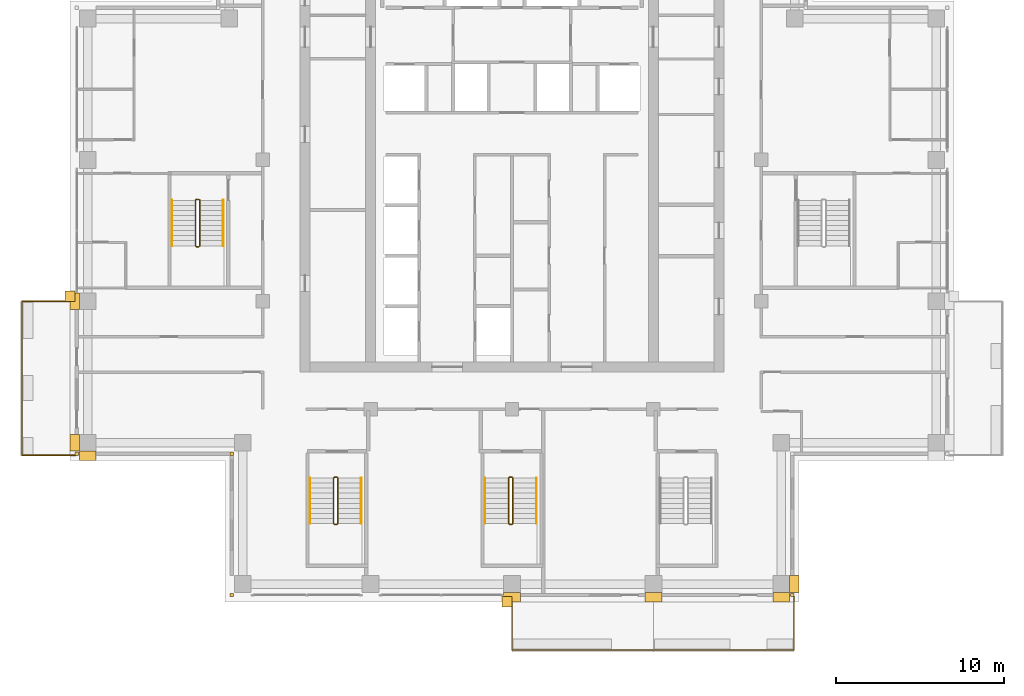
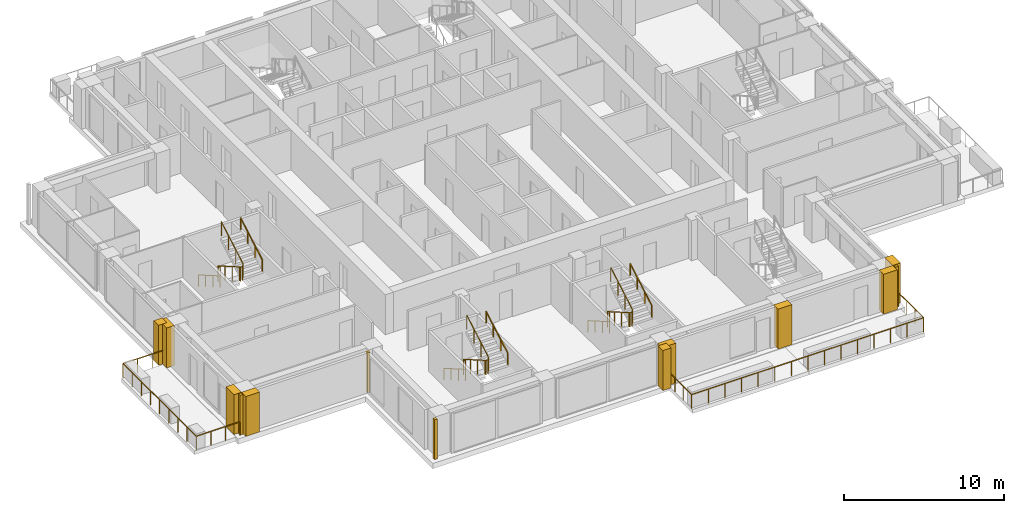
# One storey, part 15 of 17: 13 coverings, 12 railings.
"""IFC4 building model written with IfcOpenShell, lengths in metres."""

from ifc_helpers import new_model, si_unit, direction, frame, origin, origin_2d, place, context, subcontext, project, spatial, polyline, rectangle, outline, extrude, material, type_object, element, save


model = new_model("IFC4")

# Units and contexts
model_context = context("Model", 3, precision=1e-05, world=origin(), true_north=direction((0.0, 1.0)))
body_context = subcontext(model_context, "Body", "Model", "MODEL_VIEW")
ifc_project = project(units=[si_unit("LENGTHUNIT", "METRE"), si_unit("AREAUNIT", "SQUARE_METRE"), si_unit("VOLUMEUNIT", "CUBIC_METRE"), si_unit("PLANEANGLEUNIT", "RADIAN"), si_unit("MASSUNIT", "GRAM", prefix="KILO")], contexts=[model_context])

# Site, building, storey
site_placement = place(None, origin())
site = spatial("IfcSite", under=ifc_project, at=site_placement, CompositionType="ELEMENT")
building_placement = place(site_placement, origin())
building = spatial("IfcBuilding", under=site, at=building_placement, Name="Vermilion Ogive Tower", CompositionType="ELEMENT")
storey_placement = place(building_placement, frame((0.0, 0.0, 189.35009765625)))
storey = spatial("IfcBuildingStorey", under=building, at=storey_placement, Name="L49", CompositionType="ELEMENT", Elevation=189.35009765625)

# Railings
ifc_material_1 = material(Name="Stainless steel and glass", Category="steel")
railing_type_1 = type_object("IfcRailingType", Name="Balcony guard", PredefinedType="GUARDRAIL", material=ifc_material_1)
railing_1_placement = place(storey_placement, frame((0.0, -21.75, -0.0400390625)))
element("IfcRailing", 1, at=railing_1_placement, inside=storey, type_object=railing_type_1, Name="Guard S03", PredefinedType="GUARDRAIL", context=body_context, shape_type="SweptSolid", body=[
    extrude(rectangle(XDim=0.048095703125, YDim=0.048095703125, at=origin_2d()), frame((0.0, 0.0, 1.076171875), z_axis=(0.0, -1.0, 0.0), x_axis=(1.0, 0.0, 0.0)), (0.0, 0.0, 1.0), 3.159912109375),
    extrude(rectangle(XDim=0.048095703125, YDim=0.048095703125, at=origin_2d()), frame((0.0, -3.159912109375, 1.076171875), z_axis=(1.0, 0.0, 0.0), x_axis=(0.0, 1.0, 0.0)), (0.0, 0.0, 1.0), 8.39990234375),
    extrude(rectangle(XDim=0.0419921875, YDim=0.0419921875, at=origin_2d()), origin(), (0.0, 0.0, 1.0), 1.052001953125),
    extrude(rectangle(XDim=0.0419921875, YDim=0.0419921875, at=origin_2d()), frame((0.0, -1.05322265625, 0.0)), (0.0, 0.0, 1.0), 1.052001953125),
    extrude(rectangle(XDim=0.0419921875, YDim=0.0419921875, at=origin_2d()), frame((0.0, -2.106689453125, 0.0)), (0.0, 0.0, 1.0), 1.052001953125),
    extrude(rectangle(XDim=0.0419921875, YDim=0.0419921875, at=origin_2d()), frame((0.0, -3.159912109375, 0.0)), (0.0, 0.0, 1.0), 1.052001953125),
    extrude(rectangle(XDim=0.0419921875, YDim=0.0419921875, at=origin_2d()), frame((1.199951171875, -3.159912109375, 0.0)), (0.0, 0.0, 1.0), 1.052001953125),
    extrude(rectangle(XDim=0.0419921875, YDim=0.0419921875, at=origin_2d()), frame((2.39990234375, -3.159912109375, 0.0)), (0.0, 0.0, 1.0), 1.052001953125),
    extrude(rectangle(XDim=0.0419921875, YDim=0.0419921875, at=origin_2d()), frame((3.599853515625, -3.159912109375, 0.0)), (0.0, 0.0, 1.0), 1.052001953125),
    extrude(rectangle(XDim=0.0419921875, YDim=0.0419921875, at=origin_2d()), frame((4.800048828125, -3.159912109375, 0.0)), (0.0, 0.0, 1.0), 1.052001953125),
    extrude(rectangle(XDim=0.0419921875, YDim=0.0419921875, at=origin_2d()), frame((6.0, -3.159912109375, 0.0)), (0.0, 0.0, 1.0), 1.052001953125),
    extrude(rectangle(XDim=0.0419921875, YDim=0.0419921875, at=origin_2d()), frame((7.199951171875, -3.159912109375, 0.0)), (0.0, 0.0, 1.0), 1.052001953125),
    extrude(rectangle(XDim=0.0419921875, YDim=0.0419921875, at=origin_2d()), frame((8.39990234375, -3.159912109375, 0.0)), (0.0, 0.0, 1.0), 1.052001953125),
])
railing_2_placement = place(storey_placement, frame((8.39990234375, -24.909912109375, -0.0400390625)))
element("IfcRailing", 2, at=railing_2_placement, inside=storey, type_object=railing_type_1, Name="Guard S04", PredefinedType="GUARDRAIL", context=body_context, shape_type="SweptSolid", body=[
    extrude(rectangle(XDim=0.048095703125, YDim=0.048095703125, at=origin_2d()), frame((0.0, 0.0, 1.076171875), z_axis=(1.0, 0.0, 0.0), x_axis=(0.0, 1.0, 0.0)), (0.0, 0.0, 1.0), 8.35009765625),
    extrude(rectangle(XDim=0.048095703125, YDim=0.048095703125, at=origin_2d()), frame((8.35009765625, 0.0, 1.076171875), z_axis=(0.0, 1.0, 0.0), x_axis=(-1.0, 0.0, 0.0)), (0.0, 0.0, 1.0), 3.159912109375),
    extrude(rectangle(XDim=0.0419921875, YDim=0.0419921875, at=origin_2d()), origin(), (0.0, 0.0, 1.0), 1.052001953125),
    extrude(rectangle(XDim=0.0419921875, YDim=0.0419921875, at=origin_2d()), frame((1.19287109375, 0.0, 0.0)), (0.0, 0.0, 1.0), 1.052001953125),
    extrude(rectangle(XDim=0.0419921875, YDim=0.0419921875, at=origin_2d()), frame((2.3857421875, 0.0, 0.0)), (0.0, 0.0, 1.0), 1.052001953125),
    extrude(rectangle(XDim=0.0419921875, YDim=0.0419921875, at=origin_2d()), frame((3.57861328125, 0.0, 0.0)), (0.0, 0.0, 1.0), 1.052001953125),
    extrude(rectangle(XDim=0.0419921875, YDim=0.0419921875, at=origin_2d()), frame((4.771484375, 0.0, 0.0)), (0.0, 0.0, 1.0), 1.052001953125),
    extrude(rectangle(XDim=0.0419921875, YDim=0.0419921875, at=origin_2d()), frame((5.96435546875, 0.0, 0.0)), (0.0, 0.0, 1.0), 1.052001953125),
    extrude(rectangle(XDim=0.0419921875, YDim=0.0419921875, at=origin_2d()), frame((7.1572265625, 0.0, 0.0)), (0.0, 0.0, 1.0), 1.052001953125),
    extrude(rectangle(XDim=0.0419921875, YDim=0.0419921875, at=origin_2d()), frame((8.35009765625, 0.0, 0.0)), (0.0, 0.0, 1.0), 1.052001953125),
    extrude(rectangle(XDim=0.0419921875, YDim=0.0419921875, at=origin_2d()), frame((8.35009765625, 1.05322265625, 0.0)), (0.0, 0.0, 1.0), 1.052001953125),
    extrude(rectangle(XDim=0.0419921875, YDim=0.0419921875, at=origin_2d()), frame((8.35009765625, 2.106689453125, 0.0)), (0.0, 0.0, 1.0), 1.052001953125),
    extrude(rectangle(XDim=0.0419921875, YDim=0.0419921875, at=origin_2d()), frame((8.35009765625, 3.159912109375, 0.0)), (0.0, 0.0, 1.0), 1.052001953125),
])
railing_3_placement = place(storey_placement, frame((-25.949951171875, -4.199951171875, -0.0400390625)))
element("IfcRailing", 3, at=railing_3_placement, inside=storey, type_object=railing_type_1, Name="Guard W03", PredefinedType="GUARDRAIL", context=body_context, shape_type="SweptSolid", body=[
    extrude(rectangle(XDim=0.048095703125, YDim=0.048095703125, at=origin_2d()), frame((0.0, 0.0, 1.076171875), z_axis=(-1.0, 0.0, 0.0), x_axis=(0.0, -1.0, 0.0)), (0.0, 0.0, 1.0), 3.16015625),
    extrude(rectangle(XDim=0.048095703125, YDim=0.048095703125, at=origin_2d()), frame((-3.16015625, 0.0, 1.076171875), z_axis=(0.0, -1.0, 0.0), x_axis=(1.0, 0.0, 0.0)), (0.0, 0.0, 1.0), 9.150146484375),
    extrude(rectangle(XDim=0.048095703125, YDim=0.048095703125, at=origin_2d()), frame((-3.16015625, -9.150146484375, 1.076171875), z_axis=(1.0, 0.0, 0.0), x_axis=(0.0, 1.0, 0.0)), (0.0, 0.0, 1.0), 3.16015625),
    extrude(rectangle(XDim=0.0419921875, YDim=0.0419921875, at=origin_2d()), origin(), (0.0, 0.0, 1.0), 1.052001953125),
    extrude(rectangle(XDim=0.0419921875, YDim=0.0419921875, at=origin_2d()), frame((-1.053466796875, 0.0, 0.0)), (0.0, 0.0, 1.0), 1.052001953125),
    extrude(rectangle(XDim=0.0419921875, YDim=0.0419921875, at=origin_2d()), frame((-2.106689453125, 0.0, 0.0)), (0.0, 0.0, 1.0), 1.052001953125),
    extrude(rectangle(XDim=0.0419921875, YDim=0.0419921875, at=origin_2d()), frame((-3.16015625, 0.0, 0.0)), (0.0, 0.0, 1.0), 1.052001953125),
    extrude(rectangle(XDim=0.0419921875, YDim=0.0419921875, at=origin_2d()), frame((-3.16015625, -1.143798828125, 0.0)), (0.0, 0.0, 1.0), 1.052001953125),
    extrude(rectangle(XDim=0.0419921875, YDim=0.0419921875, at=origin_2d()), frame((-3.16015625, -2.28759765625, 0.0)), (0.0, 0.0, 1.0), 1.052001953125),
    extrude(rectangle(XDim=0.0419921875, YDim=0.0419921875, at=origin_2d()), frame((-3.16015625, -3.431396484375, 0.0)), (0.0, 0.0, 1.0), 1.052001953125),
    extrude(rectangle(XDim=0.0419921875, YDim=0.0419921875, at=origin_2d()), frame((-3.16015625, -4.5751953125, 0.0)), (0.0, 0.0, 1.0), 1.052001953125),
    extrude(rectangle(XDim=0.0419921875, YDim=0.0419921875, at=origin_2d()), frame((-3.16015625, -5.71875, 0.0)), (0.0, 0.0, 1.0), 1.052001953125),
    extrude(rectangle(XDim=0.0419921875, YDim=0.0419921875, at=origin_2d()), frame((-3.16015625, -6.862548828125, 0.0)), (0.0, 0.0, 1.0), 1.052001953125),
    extrude(rectangle(XDim=0.0419921875, YDim=0.0419921875, at=origin_2d()), frame((-3.16015625, -8.00634765625, 0.0)), (0.0, 0.0, 1.0), 1.052001953125),
    extrude(rectangle(XDim=0.0419921875, YDim=0.0419921875, at=origin_2d()), frame((-3.16015625, -9.150146484375, 0.0)), (0.0, 0.0, 1.0), 1.052001953125),
    extrude(rectangle(XDim=0.0419921875, YDim=0.0419921875, at=origin_2d()), frame((-2.106689453125, -9.150146484375, 0.0)), (0.0, 0.0, 1.0), 1.052001953125),
    extrude(rectangle(XDim=0.0419921875, YDim=0.0419921875, at=origin_2d()), frame((-1.053466796875, -9.150146484375, 0.0)), (0.0, 0.0, 1.0), 1.052001953125),
    extrude(rectangle(XDim=0.0419921875, YDim=0.0419921875, at=origin_2d()), frame((0.0, -9.150146484375, 0.0)), (0.0, 0.0, 1.0), 1.052001953125),
])
ifc_material_2 = material(Name="Steel S355 painted", Category="steel")
railing_type_2 = type_object("IfcRailingType", Name="Stair guard 1100", PredefinedType="GUARDRAIL", material=ifc_material_2)
railing_4_placement = place(storey_placement, frame((-10.39990234375, -14.64990234375, 0.0)))
element("IfcRailing", 4, at=railing_4_placement, inside=storey, type_object=railing_type_2, Name="L49 ST3 stair guard 4", PredefinedType="GUARDRAIL", context=body_context, shape_type="SweptSolid", body=[
    extrude(rectangle(XDim=0.048095703125, YDim=0.048095703125, at=origin_2d()), frame((0.0, 0.0, 1.076171875), z_axis=(-1.0, 0.0, 0.0), x_axis=(0.0, -1.0, 0.0)), (0.0, 0.0, 1.0), 0.150146484375),
    extrude(rectangle(XDim=0.048095703125, YDim=0.048095703125, at=origin_2d()), frame((-0.150146484375, 0.0, 1.076171875), z_axis=(-0.268603158521, -0.268603158521, 0.925043072762), x_axis=(0.707106781187, -0.707106781187, 0.0)), (0.0, 0.0, 1.0), 0.186279296875),
    extrude(rectangle(XDim=0.048095703125, YDim=0.048095703125, at=origin_2d()), frame((-0.2001953125, -0.050048828125, 1.24853515625), z_axis=(0.0, -0.866903762492, 0.498475542607), x_axis=(1.0, 0.0, 0.0)), (0.0, 0.0, 1.0), 3.114501953125),
    extrude(rectangle(XDim=0.048095703125, YDim=0.048095703125, at=origin_2d()), frame((-0.2001953125, -2.75, 2.80078125), z_axis=(0.707106781187, -0.707106781187, 0.0), x_axis=(0.707106781187, 0.707106781187, 0.0)), (0.0, 0.0, 1.0), 0.07080078125),
    extrude(rectangle(XDim=0.048095703125, YDim=0.048095703125, at=origin_2d()), frame((-0.150146484375, -2.800048828125, 2.80078125), z_axis=(1.0, 0.0, 0.0), x_axis=(0.0, 1.0, 0.0)), (0.0, 0.0, 1.0), 0.150146484375),
    extrude(rectangle(XDim=0.048095703125, YDim=0.048095703125, at=origin_2d()), frame((0.0, -2.800048828125, 2.80078125), z_axis=(0.267062837333, 0.268371968888, 0.925556009775), x_axis=(-0.708833529934, 0.705375805398, 0.0)), (0.0, 0.0, 1.0), 0.1865234375),
    extrude(rectangle(XDim=0.048095703125, YDim=0.048095703125, at=origin_2d()), frame((0.0498046875, -2.75, 2.9736328125), z_axis=(0.0, 0.866903762492, 0.498475542607), x_axis=(-1.0, 0.0, 0.0)), (0.0, 0.0, 1.0), 3.114501953125),
    extrude(rectangle(XDim=0.0419921875, YDim=0.0419921875, at=origin_2d()), origin(), (0.0, 0.0, 1.0), 1.052001953125),
    extrude(rectangle(XDim=0.0419921875, YDim=0.0419921875, at=origin_2d()), frame((-0.150146484375, 0.0, 0.0)), (0.0, 0.0, 1.0), 1.052001953125),
    extrude(rectangle(XDim=0.0419921875, YDim=0.0419921875, at=origin_2d()), frame((-0.2001953125, -0.050048828125, 0.17236328125)), (0.0, 0.0, 1.0), 1.052001953125),
    extrude(rectangle(XDim=0.0419921875, YDim=0.0419921875, at=origin_2d()), frame((-0.2001953125, -0.949951171875, 0.68994140625)), (0.0, 0.0, 1.0), 1.052001953125),
    extrude(rectangle(XDim=0.0419921875, YDim=0.0419921875, at=origin_2d()), frame((-0.2001953125, -1.85009765625, 1.207275390625)), (0.0, 0.0, 1.0), 1.052001953125),
    extrude(rectangle(XDim=0.0419921875, YDim=0.0419921875, at=origin_2d()), frame((-0.2001953125, -2.75, 1.724853515625)), (0.0, 0.0, 1.0), 1.052001953125),
    extrude(rectangle(XDim=0.0419921875, YDim=0.0419921875, at=origin_2d()), frame((-0.150146484375, -2.800048828125, 1.724853515625)), (0.0, 0.0, 1.0), 1.052001953125),
    extrude(rectangle(XDim=0.0419921875, YDim=0.0419921875, at=origin_2d()), frame((0.0, -2.800048828125, 1.724853515625)), (0.0, 0.0, 1.0), 1.052001953125),
    extrude(rectangle(XDim=0.0419921875, YDim=0.0419921875, at=origin_2d()), frame((0.0498046875, -2.75, 1.8974609375)), (0.0, 0.0, 1.0), 1.052001953125),
    extrude(rectangle(XDim=0.0419921875, YDim=0.0419921875, at=origin_2d()), frame((0.0498046875, -1.85009765625, 2.4150390625)), (0.0, 0.0, 1.0), 1.052001953125),
    extrude(rectangle(XDim=0.0419921875, YDim=0.0419921875, at=origin_2d()), frame((0.0498046875, -0.949951171875, 2.932373046875)), (0.0, 0.0, 1.0), 1.052001953125),
    extrude(rectangle(XDim=0.0419921875, YDim=0.0419921875, at=origin_2d()), frame((0.0498046875, -0.050048828125, 3.449951171875)), (0.0, 0.0, 1.0), 1.052001953125),
])
railing_5_placement = place(storey_placement, frame((0.0, -14.64990234375, 0.0)))
element("IfcRailing", 5, at=railing_5_placement, inside=storey, type_object=railing_type_2, Name="L49 ST4 stair guard 4", PredefinedType="GUARDRAIL", context=body_context, shape_type="SweptSolid", body=[
    extrude(rectangle(XDim=0.048095703125, YDim=0.048095703125, at=origin_2d()), frame((0.0, 0.0, 1.076171875), z_axis=(-1.0, 0.0, 0.0), x_axis=(0.0, -1.0, 0.0)), (0.0, 0.0, 1.0), 0.14990234375),
    extrude(rectangle(XDim=0.048095703125, YDim=0.048095703125, at=origin_2d()), frame((-0.14990234375, 0.0, 1.076171875), z_axis=(-0.268603158521, -0.268603158521, 0.925043072762), x_axis=(0.707106781187, -0.707106781187, 0.0)), (0.0, 0.0, 1.0), 0.186279296875),
    extrude(rectangle(XDim=0.048095703125, YDim=0.048095703125, at=origin_2d()), frame((-0.199951171875, -0.050048828125, 1.24853515625), z_axis=(0.0, -0.866903762492, 0.498475542607), x_axis=(1.0, 0.0, 0.0)), (0.0, 0.0, 1.0), 3.114501953125),
    extrude(rectangle(XDim=0.048095703125, YDim=0.048095703125, at=origin_2d()), frame((-0.199951171875, -2.75, 2.80078125), z_axis=(0.707106781187, -0.707106781187, 0.0), x_axis=(0.707106781187, 0.707106781187, 0.0)), (0.0, 0.0, 1.0), 0.07080078125),
    extrude(rectangle(XDim=0.048095703125, YDim=0.048095703125, at=origin_2d()), frame((-0.14990234375, -2.800048828125, 2.80078125), z_axis=(1.0, 0.0, 0.0), x_axis=(0.0, 1.0, 0.0)), (0.0, 0.0, 1.0), 0.14990234375),
    extrude(rectangle(XDim=0.048095703125, YDim=0.048095703125, at=origin_2d()), frame((0.0, -2.800048828125, 2.80078125), z_axis=(0.268277960024, 0.268277960024, 0.925231793839), x_axis=(-0.707106781187, 0.707106781187, 0.0)), (0.0, 0.0, 1.0), 0.1865234375),
    extrude(rectangle(XDim=0.048095703125, YDim=0.048095703125, at=origin_2d()), frame((0.050048828125, -2.75, 2.9736328125), z_axis=(0.0, 0.866903762492, 0.498475542607), x_axis=(-1.0, 0.0, 0.0)), (0.0, 0.0, 1.0), 3.114501953125),
    extrude(rectangle(XDim=0.0419921875, YDim=0.0419921875, at=origin_2d()), origin(), (0.0, 0.0, 1.0), 1.052001953125),
    extrude(rectangle(XDim=0.0419921875, YDim=0.0419921875, at=origin_2d()), frame((-0.14990234375, 0.0, 0.0)), (0.0, 0.0, 1.0), 1.052001953125),
    extrude(rectangle(XDim=0.0419921875, YDim=0.0419921875, at=origin_2d()), frame((-0.199951171875, -0.050048828125, 0.17236328125)), (0.0, 0.0, 1.0), 1.052001953125),
    extrude(rectangle(XDim=0.0419921875, YDim=0.0419921875, at=origin_2d()), frame((-0.199951171875, -0.949951171875, 0.68994140625)), (0.0, 0.0, 1.0), 1.052001953125),
    extrude(rectangle(XDim=0.0419921875, YDim=0.0419921875, at=origin_2d()), frame((-0.199951171875, -1.85009765625, 1.207275390625)), (0.0, 0.0, 1.0), 1.052001953125),
    extrude(rectangle(XDim=0.0419921875, YDim=0.0419921875, at=origin_2d()), frame((-0.199951171875, -2.75, 1.724853515625)), (0.0, 0.0, 1.0), 1.052001953125),
    extrude(rectangle(XDim=0.0419921875, YDim=0.0419921875, at=origin_2d()), frame((-0.14990234375, -2.800048828125, 1.724853515625)), (0.0, 0.0, 1.0), 1.052001953125),
    extrude(rectangle(XDim=0.0419921875, YDim=0.0419921875, at=origin_2d()), frame((0.0, -2.800048828125, 1.724853515625)), (0.0, 0.0, 1.0), 1.052001953125),
    extrude(rectangle(XDim=0.0419921875, YDim=0.0419921875, at=origin_2d()), frame((0.050048828125, -2.75, 1.8974609375)), (0.0, 0.0, 1.0), 1.052001953125),
    extrude(rectangle(XDim=0.0419921875, YDim=0.0419921875, at=origin_2d()), frame((0.050048828125, -1.85009765625, 2.4150390625)), (0.0, 0.0, 1.0), 1.052001953125),
    extrude(rectangle(XDim=0.0419921875, YDim=0.0419921875, at=origin_2d()), frame((0.050048828125, -0.949951171875, 2.932373046875)), (0.0, 0.0, 1.0), 1.052001953125),
    extrude(rectangle(XDim=0.0419921875, YDim=0.0419921875, at=origin_2d()), frame((0.050048828125, -0.050048828125, 3.449951171875)), (0.0, 0.0, 1.0), 1.052001953125),
])
railing_6_placement = place(storey_placement, frame((-18.60009765625, 1.85009765625, 0.0)))
element("IfcRailing", 6, at=railing_6_placement, inside=storey, type_object=railing_type_2, Name="L49 ST9 stair guard 4", PredefinedType="GUARDRAIL", context=body_context, shape_type="SweptSolid", body=[
    extrude(rectangle(XDim=0.048095703125, YDim=0.048095703125, at=origin_2d()), frame((0.0, 0.0, 1.076171875), z_axis=(-1.0, 0.0, 0.0), x_axis=(0.0, -1.0, 0.0)), (0.0, 0.0, 1.0), 0.14990234375),
    extrude(rectangle(XDim=0.048095703125, YDim=0.048095703125, at=origin_2d()), frame((-0.14990234375, 0.0, 1.076171875), z_axis=(-0.268603158521, -0.268603158521, 0.925043072762), x_axis=(0.707106781187, -0.707106781187, 0.0)), (0.0, 0.0, 1.0), 0.186279296875),
    extrude(rectangle(XDim=0.048095703125, YDim=0.048095703125, at=origin_2d()), frame((-0.199951171875, -0.050048828125, 1.24853515625), z_axis=(0.0, -0.866903762492, 0.498475542607), x_axis=(1.0, 0.0, 0.0)), (0.0, 0.0, 1.0), 3.114501953125),
    extrude(rectangle(XDim=0.048095703125, YDim=0.048095703125, at=origin_2d()), frame((-0.199951171875, -2.75, 2.80078125), z_axis=(0.707106781187, -0.707106781187, 0.0), x_axis=(0.707106781187, 0.707106781187, 0.0)), (0.0, 0.0, 1.0), 0.07080078125),
    extrude(rectangle(XDim=0.048095703125, YDim=0.048095703125, at=origin_2d()), frame((-0.14990234375, -2.800048828125, 2.80078125), z_axis=(1.0, 0.0, 0.0), x_axis=(0.0, 1.0, 0.0)), (0.0, 0.0, 1.0), 0.14990234375),
    extrude(rectangle(XDim=0.048095703125, YDim=0.048095703125, at=origin_2d()), frame((0.0, -2.800048828125, 2.80078125), z_axis=(0.268277960024, 0.268277960024, 0.925231793839), x_axis=(-0.707106781187, 0.707106781187, 0.0)), (0.0, 0.0, 1.0), 0.1865234375),
    extrude(rectangle(XDim=0.048095703125, YDim=0.048095703125, at=origin_2d()), frame((0.050048828125, -2.75, 2.9736328125), z_axis=(0.0, 0.866903762492, 0.498475542607), x_axis=(-1.0, 0.0, 0.0)), (0.0, 0.0, 1.0), 3.114501953125),
    extrude(rectangle(XDim=0.0419921875, YDim=0.0419921875, at=origin_2d()), origin(), (0.0, 0.0, 1.0), 1.052001953125),
    extrude(rectangle(XDim=0.0419921875, YDim=0.0419921875, at=origin_2d()), frame((-0.14990234375, 0.0, 0.0)), (0.0, 0.0, 1.0), 1.052001953125),
    extrude(rectangle(XDim=0.0419921875, YDim=0.0419921875, at=origin_2d()), frame((-0.199951171875, -0.050048828125, 0.17236328125)), (0.0, 0.0, 1.0), 1.052001953125),
    extrude(rectangle(XDim=0.0419921875, YDim=0.0419921875, at=origin_2d()), frame((-0.199951171875, -0.949951171875, 0.68994140625)), (0.0, 0.0, 1.0), 1.052001953125),
    extrude(rectangle(XDim=0.0419921875, YDim=0.0419921875, at=origin_2d()), frame((-0.199951171875, -1.85009765625, 1.207275390625)), (0.0, 0.0, 1.0), 1.052001953125),
    extrude(rectangle(XDim=0.0419921875, YDim=0.0419921875, at=origin_2d()), frame((-0.199951171875, -2.75, 1.724853515625)), (0.0, 0.0, 1.0), 1.052001953125),
    extrude(rectangle(XDim=0.0419921875, YDim=0.0419921875, at=origin_2d()), frame((-0.14990234375, -2.800048828125, 1.724853515625)), (0.0, 0.0, 1.0), 1.052001953125),
    extrude(rectangle(XDim=0.0419921875, YDim=0.0419921875, at=origin_2d()), frame((0.0, -2.800048828125, 1.724853515625)), (0.0, 0.0, 1.0), 1.052001953125),
    extrude(rectangle(XDim=0.0419921875, YDim=0.0419921875, at=origin_2d()), frame((0.050048828125, -2.75, 1.8974609375)), (0.0, 0.0, 1.0), 1.052001953125),
    extrude(rectangle(XDim=0.0419921875, YDim=0.0419921875, at=origin_2d()), frame((0.050048828125, -1.85009765625, 2.4150390625)), (0.0, 0.0, 1.0), 1.052001953125),
    extrude(rectangle(XDim=0.0419921875, YDim=0.0419921875, at=origin_2d()), frame((0.050048828125, -0.949951171875, 2.932373046875)), (0.0, 0.0, 1.0), 1.052001953125),
    extrude(rectangle(XDim=0.0419921875, YDim=0.0419921875, at=origin_2d()), frame((0.050048828125, -0.050048828125, 3.449951171875)), (0.0, 0.0, 1.0), 1.052001953125),
])
ifc_material_3 = material(Name="Stainless steel", Category="steel")
railing_type_3 = type_object("IfcRailingType", Name="Stair handrail 900", PredefinedType="HANDRAIL", material=ifc_material_3)
railing_7_placement = place(storey_placement, frame((-12.0, -14.699951171875, 0.17236328125)))
element("IfcRailing", 7, at=railing_7_placement, inside=storey, type_object=railing_type_3, Name="L49 ST3 stair handrail 1", PredefinedType="HANDRAIL", context=body_context, shape_type="SweptSolid", body=[
    extrude(rectangle(XDim=0.048095703125, YDim=0.048095703125, at=origin_2d()), frame((0.0, 0.0, 0.8759765625), z_axis=(0.0, -0.866903762492, 0.498475542607), x_axis=(1.0, 0.0, 0.0)), (0.0, 0.0, 1.0), 3.114501953125),
    extrude(rectangle(XDim=0.0419921875, YDim=0.0419921875, at=origin_2d()), origin(), (0.0, 0.0, 1.0), 0.851806640625),
    extrude(rectangle(XDim=0.0419921875, YDim=0.0419921875, at=origin_2d()), frame((0.0, -0.89990234375, 0.517578125)), (0.0, 0.0, 1.0), 0.851806640625),
    extrude(rectangle(XDim=0.0419921875, YDim=0.0419921875, at=origin_2d()), frame((0.0, -1.800048828125, 1.034912109375)), (0.0, 0.0, 1.0), 0.851806640625),
    extrude(rectangle(XDim=0.0419921875, YDim=0.0419921875, at=origin_2d()), frame((0.0, -2.699951171875, 1.552490234375)), (0.0, 0.0, 1.0), 0.851806640625),
])
railing_8_placement = place(storey_placement, frame((-8.949951171875, -17.39990234375, 1.8974609375)))
element("IfcRailing", 8, at=railing_8_placement, inside=storey, type_object=railing_type_3, Name="L49 ST3 stair handrail 2", PredefinedType="HANDRAIL", context=body_context, shape_type="SweptSolid", body=[
    extrude(rectangle(XDim=0.048095703125, YDim=0.048095703125, at=origin_2d()), frame((0.0, 0.0, 0.8759765625), z_axis=(0.0, 0.866903762492, 0.498475542607), x_axis=(-1.0, 0.0, 0.0)), (0.0, 0.0, 1.0), 3.114501953125),
    extrude(rectangle(XDim=0.0419921875, YDim=0.0419921875, at=origin_2d()), origin(), (0.0, 0.0, 1.0), 0.851806640625),
    extrude(rectangle(XDim=0.0419921875, YDim=0.0419921875, at=origin_2d()), frame((0.0, 0.89990234375, 0.517578125)), (0.0, 0.0, 1.0), 0.851806640625),
    extrude(rectangle(XDim=0.0419921875, YDim=0.0419921875, at=origin_2d()), frame((0.0, 1.800048828125, 1.034912109375)), (0.0, 0.0, 1.0), 0.851806640625),
    extrude(rectangle(XDim=0.0419921875, YDim=0.0419921875, at=origin_2d()), frame((0.0, 2.699951171875, 1.552490234375)), (0.0, 0.0, 1.0), 0.851806640625),
])
railing_9_placement = place(storey_placement, frame((-1.60009765625, -14.699951171875, 0.17236328125)))
element("IfcRailing", 9, at=railing_9_placement, inside=storey, type_object=railing_type_3, Name="L49 ST4 stair handrail 1", PredefinedType="HANDRAIL", context=body_context, shape_type="SweptSolid", body=[
    extrude(rectangle(XDim=0.048095703125, YDim=0.048095703125, at=origin_2d()), frame((0.0, 0.0, 0.8759765625), z_axis=(0.0, -0.866903762492, 0.498475542607), x_axis=(1.0, 0.0, 0.0)), (0.0, 0.0, 1.0), 3.114501953125),
    extrude(rectangle(XDim=0.0419921875, YDim=0.0419921875, at=origin_2d()), origin(), (0.0, 0.0, 1.0), 0.851806640625),
    extrude(rectangle(XDim=0.0419921875, YDim=0.0419921875, at=origin_2d()), frame((0.0, -0.89990234375, 0.517578125)), (0.0, 0.0, 1.0), 0.851806640625),
    extrude(rectangle(XDim=0.0419921875, YDim=0.0419921875, at=origin_2d()), frame((0.0, -1.800048828125, 1.034912109375)), (0.0, 0.0, 1.0), 0.851806640625),
    extrude(rectangle(XDim=0.0419921875, YDim=0.0419921875, at=origin_2d()), frame((0.0, -2.699951171875, 1.552490234375)), (0.0, 0.0, 1.0), 0.851806640625),
])
railing_10_placement = place(storey_placement, frame((1.449951171875, -17.39990234375, 1.8974609375)))
element("IfcRailing", 10, at=railing_10_placement, inside=storey, type_object=railing_type_3, Name="L49 ST4 stair handrail 2", PredefinedType="HANDRAIL", context=body_context, shape_type="SweptSolid", body=[
    extrude(rectangle(XDim=0.048095703125, YDim=0.048095703125, at=origin_2d()), frame((0.0, 0.0, 0.8759765625), z_axis=(0.0, 0.866903762492, 0.498475542607), x_axis=(-1.0, 0.0, 0.0)), (0.0, 0.0, 1.0), 3.114501953125),
    extrude(rectangle(XDim=0.0419921875, YDim=0.0419921875, at=origin_2d()), origin(), (0.0, 0.0, 1.0), 0.851806640625),
    extrude(rectangle(XDim=0.0419921875, YDim=0.0419921875, at=origin_2d()), frame((0.0, 0.89990234375, 0.517578125)), (0.0, 0.0, 1.0), 0.851806640625),
    extrude(rectangle(XDim=0.0419921875, YDim=0.0419921875, at=origin_2d()), frame((0.0, 1.800048828125, 1.034912109375)), (0.0, 0.0, 1.0), 0.851806640625),
    extrude(rectangle(XDim=0.0419921875, YDim=0.0419921875, at=origin_2d()), frame((0.0, 2.699951171875, 1.552490234375)), (0.0, 0.0, 1.0), 0.851806640625),
])
railing_11_placement = place(storey_placement, frame((-20.199951171875, 1.800048828125, 0.17236328125)))
element("IfcRailing", 11, at=railing_11_placement, inside=storey, type_object=railing_type_3, Name="L49 ST9 stair handrail 1", PredefinedType="HANDRAIL", context=body_context, shape_type="SweptSolid", body=[
    extrude(rectangle(XDim=0.048095703125, YDim=0.048095703125, at=origin_2d()), frame((0.0, 0.0, 0.8759765625), z_axis=(0.0, -0.866903762492, 0.498475542607), x_axis=(1.0, 0.0, 0.0)), (0.0, 0.0, 1.0), 3.114501953125),
    extrude(rectangle(XDim=0.0419921875, YDim=0.0419921875, at=origin_2d()), origin(), (0.0, 0.0, 1.0), 0.851806640625),
    extrude(rectangle(XDim=0.0419921875, YDim=0.0419921875, at=origin_2d()), frame((0.0, -0.89990234375, 0.517578125)), (0.0, 0.0, 1.0), 0.851806640625),
    extrude(rectangle(XDim=0.0419921875, YDim=0.0419921875, at=origin_2d()), frame((0.0, -1.800048828125, 1.034912109375)), (0.0, 0.0, 1.0), 0.851806640625),
    extrude(rectangle(XDim=0.0419921875, YDim=0.0419921875, at=origin_2d()), frame((0.0, -2.699951171875, 1.552490234375)), (0.0, 0.0, 1.0), 0.851806640625),
])
railing_12_placement = place(storey_placement, frame((-17.14990234375, -0.89990234375, 1.8974609375)))
element("IfcRailing", 12, at=railing_12_placement, inside=storey, type_object=railing_type_3, Name="L49 ST9 stair handrail 2", PredefinedType="HANDRAIL", context=body_context, shape_type="SweptSolid", body=[
    extrude(rectangle(XDim=0.048095703125, YDim=0.048095703125, at=origin_2d()), frame((0.0, 0.0, 0.8759765625), z_axis=(0.0, 0.866903762492, 0.498475542607), x_axis=(-1.0, 0.0, 0.0)), (0.0, 0.0, 1.0), 3.114501953125),
    extrude(rectangle(XDim=0.0419921875, YDim=0.0419921875, at=origin_2d()), origin(), (0.0, 0.0, 1.0), 0.851806640625),
    extrude(rectangle(XDim=0.0419921875, YDim=0.0419921875, at=origin_2d()), frame((0.0, 0.89990234375, 0.517578125)), (0.0, 0.0, 1.0), 0.851806640625),
    extrude(rectangle(XDim=0.0419921875, YDim=0.0419921875, at=origin_2d()), frame((0.0, 1.800048828125, 1.034912109375)), (0.0, 0.0, 1.0), 0.851806640625),
    extrude(rectangle(XDim=0.0419921875, YDim=0.0419921875, at=origin_2d()), frame((0.0, 2.699951171875, 1.552490234375)), (0.0, 0.0, 1.0), 0.851806640625),
])

# Coverings
ifc_material_4 = material(Name="Stone cladding", Category="masonry")
covering_type_1 = type_object("IfcCoveringType", Name="Stone corner buttress", PredefinedType="CLADDING", material=ifc_material_4)
covering_1_placement = place(storey_placement, origin())
element("IfcCovering", 13, at=covering_1_placement, inside=storey, type_object=covering_type_1, Name="Stone crease pier SK", PredefinedType="CLADDING", context=body_context, shape_type="SweptSolid", body=[
    extrude(outline(polyline([(-0.60009765625, -22.35009765625), (0.0, -22.35009765625), (0.0, -21.75), (-0.60009765625, -21.75), (-0.60009765625, -22.35009765625)])), origin(), (0.0, 0.0, 1.0), 3.0498046875),
])
covering_2_placement = place(storey_placement, origin())
element("IfcCovering", 14, at=covering_2_placement, inside=storey, type_object=covering_type_1, Name="Stone crease pier WK", PredefinedType="CLADDING", context=body_context, shape_type="SweptSolid", body=[
    extrude(outline(polyline([(-26.550048828125, -3.60009765625), (-26.550048828125, -4.199951171875), (-25.949951171875, -4.199951171875), (-25.949951171875, -3.60009765625), (-26.550048828125, -3.60009765625)])), origin(), (0.0, 0.0, 1.0), 3.0498046875),
])
ifc_material_5 = material(Name="Stone cladding", Category="masonry")
covering_type_2 = type_object("IfcCoveringType", Name="Stone pier", PredefinedType="CLADDING", material=ifc_material_5)
covering_3_placement = place(storey_placement, origin())
element("IfcCovering", 15, at=covering_3_placement, inside=storey, type_object=covering_type_2, Name="Stone corner pier SE1", PredefinedType="CLADDING", context=body_context, shape_type="SweptSolid", body=[
    extrude(outline(polyline([(16.550048828125, -21.550048828125), (16.75, -21.550048828125), (16.75, -21.75), (16.550048828125, -21.75), (16.550048828125, -21.550048828125)])), origin(), (0.0, 0.0, 1.0), 3.0498046875),
])
covering_4_placement = place(storey_placement, origin())
element("IfcCovering", 16, at=covering_4_placement, inside=storey, type_object=covering_type_2, Name="Stone corner pier WE1", PredefinedType="CLADDING", context=body_context, shape_type="SweptSolid", body=[
    extrude(outline(polyline([(-25.75, -13.14990234375), (-25.75, -13.35009765625), (-25.949951171875, -13.35009765625), (-25.949951171875, -13.14990234375), (-25.75, -13.14990234375)])), origin(), (0.0, 0.0, 1.0), 3.0498046875),
])
covering_5_placement = place(storey_placement, origin())
element("IfcCovering", 17, at=covering_5_placement, inside=storey, type_object=covering_type_2, Name="Stone corner pier X7E1", PredefinedType="CLADDING", context=body_context, shape_type="SweptSolid", body=[
    extrude(outline(polyline([(-16.550048828125, -13.14990234375), (-16.550048828125, -13.35009765625), (-16.75, -13.35009765625), (-16.75, -13.14990234375), (-16.550048828125, -13.14990234375)])), origin(), (0.0, 0.0, 1.0), 3.0498046875),
])
covering_6_placement = place(storey_placement, origin())
element("IfcCovering", 18, at=covering_6_placement, inside=storey, type_object=covering_type_2, Name="Stone corner pier X8E1", PredefinedType="CLADDING", context=body_context, shape_type="SweptSolid", body=[
    extrude(outline(polyline([(-16.550048828125, -21.550048828125), (-16.550048828125, -21.75), (-16.75, -21.75), (-16.75, -21.550048828125), (-16.550048828125, -21.550048828125)])), origin(), (0.0, 0.0, 1.0), 3.0498046875),
])
covering_7_placement = place(storey_placement, origin())
element("IfcCovering", 19, at=covering_7_placement, inside=storey, type_object=covering_type_2, Name="Stone pier P+0000-210", PredefinedType="CLADDING", context=body_context, shape_type="SweptSolid", body=[
    extrude(outline(polyline([(0.5, -22.050048828125), (0.0, -22.050048828125), (0.0, -21.75), (-0.5, -21.75), (-0.5, -21.5), (0.5, -21.5), (0.5, -22.050048828125)])), origin(), (0.0, 0.0, 1.0), 3.0498046875),
])
covering_8_placement = place(storey_placement, origin())
element("IfcCovering", 20, at=covering_8_placement, inside=storey, type_object=covering_type_2, Name="Stone pier P+0084-210", PredefinedType="CLADDING", context=body_context, shape_type="SweptSolid", body=[
    extrude(outline(polyline([(8.89990234375, -21.5), (8.89990234375, -22.050048828125), (7.89990234375, -22.050048828125), (7.89990234375, -21.5), (7.89990234375, -21.5), (8.89990234375, -21.5)])), origin(), (0.0, 0.0, 1.0), 3.0498046875),
])
covering_9_placement = place(storey_placement, origin())
element("IfcCovering", 21, at=covering_9_placement, inside=storey, type_object=covering_type_2, Name="Stone pier P+0160-210S", PredefinedType="CLADDING", context=body_context, shape_type="SweptSolid", body=[
    extrude(outline(polyline([(16.5, -22.050048828125), (15.5, -22.050048828125), (15.5, -21.5), (16.5, -21.5), (16.5, -22.050048828125)])), origin(), (0.0, 0.0, 1.0), 3.0498046875),
])
covering_10_placement = place(storey_placement, origin())
element("IfcCovering", 22, at=covering_10_placement, inside=storey, type_object=covering_type_2, Name="Stone pier P+0160-210X1", PredefinedType="CLADDING", context=body_context, shape_type="SweptSolid", body=[
    extrude(outline(polyline([(17.050048828125, -21.5), (16.5, -21.5), (16.5, -20.5), (17.050048828125, -20.5), (17.050048828125, -21.5)])), origin(), (0.0, 0.0, 1.0), 3.0498046875),
])
covering_11_placement = place(storey_placement, origin())
element("IfcCovering", 23, at=covering_11_placement, inside=storey, type_object=covering_type_2, Name="Stone pier P-0252-042", PredefinedType="CLADDING", context=body_context, shape_type="SweptSolid", body=[
    extrude(outline(polyline([(-25.699951171875, -4.699951171875), (-26.25, -4.699951171875), (-26.25, -4.199951171875), (-25.949951171875, -4.199951171875), (-25.949951171875, -3.699951171875), (-25.699951171875, -3.699951171875), (-25.699951171875, -4.699951171875), (-25.699951171875, -4.699951171875)])), origin(), (0.0, 0.0, 1.0), 3.0498046875),
])
covering_12_placement = place(storey_placement, origin())
element("IfcCovering", 24, at=covering_12_placement, inside=storey, type_object=covering_type_2, Name="Stone pier P-0252-126W", PredefinedType="CLADDING", context=body_context, shape_type="SweptSolid", body=[
    extrude(outline(polyline([(-26.25, -13.10009765625), (-26.25, -12.10009765625), (-25.699951171875, -12.10009765625), (-25.699951171875, -13.10009765625), (-26.25, -13.10009765625)])), origin(), (0.0, 0.0, 1.0), 3.0498046875),
])
covering_13_placement = place(storey_placement, origin())
element("IfcCovering", 25, at=covering_13_placement, inside=storey, type_object=covering_type_2, Name="Stone pier P-0252-126X7", PredefinedType="CLADDING", context=body_context, shape_type="SweptSolid", body=[
    extrude(outline(polyline([(-25.699951171875, -13.64990234375), (-25.699951171875, -13.10009765625), (-24.699951171875, -13.10009765625), (-24.699951171875, -13.64990234375), (-25.699951171875, -13.64990234375)])), origin(), (0.0, 0.0, 1.0), 3.0498046875),
])

save(model, "model.ifc")
